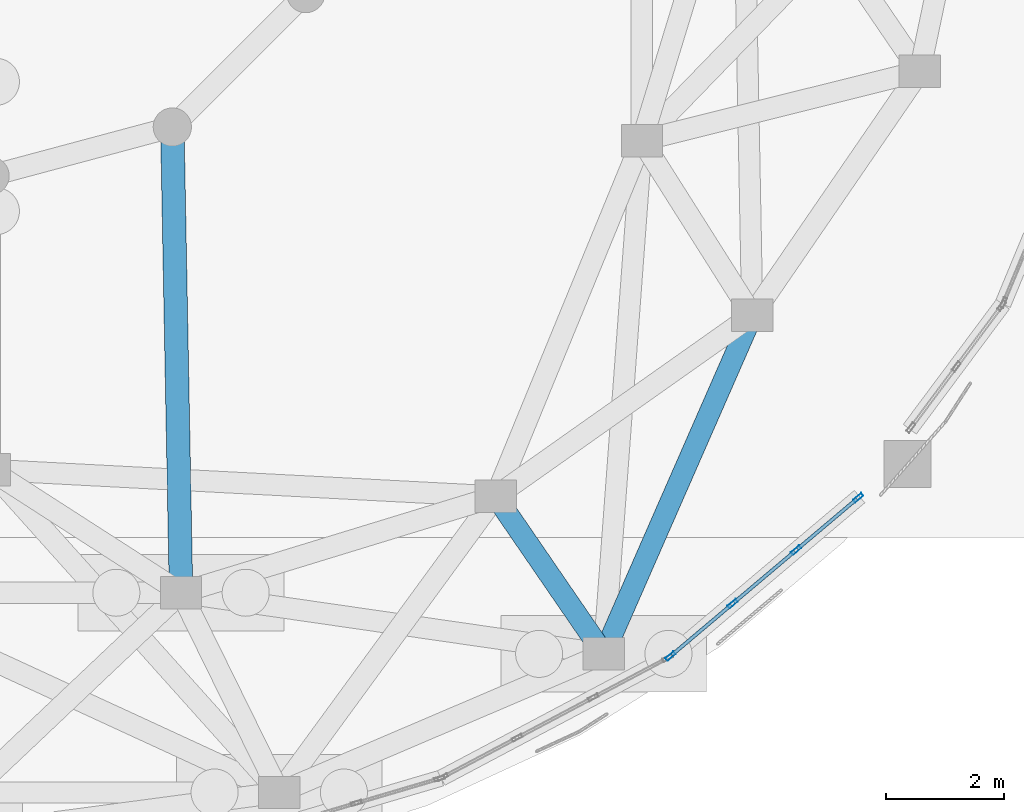
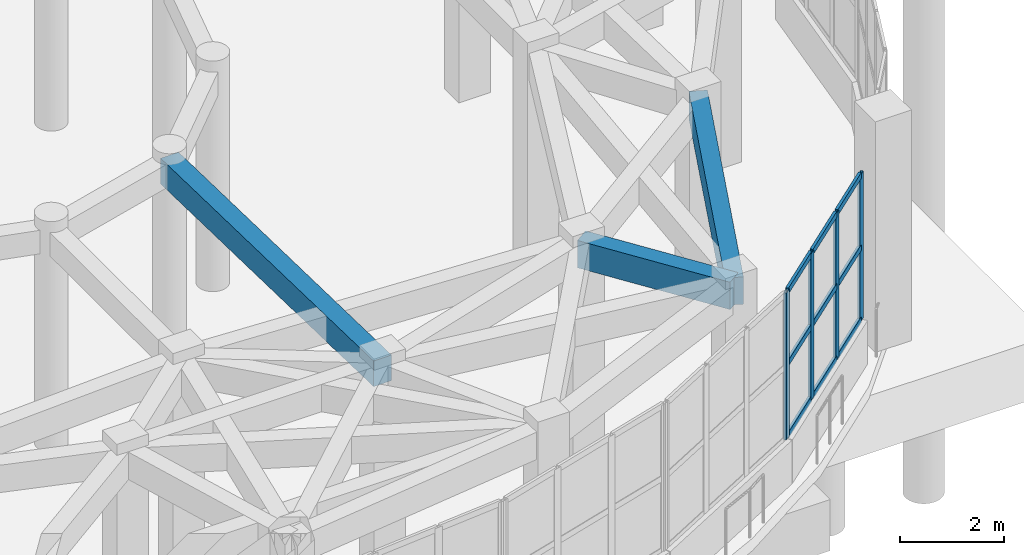
# One storey, part 12 of 96: 13 members, 3 beams, 1 element without a shape of its own.
"""IFC4 building model written with IfcOpenShell, lengths in metres."""

from ifc_helpers import new_model, si_unit, direction, frame, origin, origin_2d, place, context, subcontext, project, spatial, rectangle, hollow_rectangle, extrude, material, layer, layer_set, material_profile, profile_set, type_object, element, aggregate, save


model = new_model("IFC4")

# Units and contexts
model_context = context("Model", 3, precision=1e-05, world=origin(), true_north=direction((0.0, 1.0)))
body_context = subcontext(model_context, "Body", "Model", "MODEL_VIEW")
ifc_project = project(units=[si_unit("LENGTHUNIT", "METRE"), si_unit("AREAUNIT", "SQUARE_METRE"), si_unit("VOLUMEUNIT", "CUBIC_METRE"), si_unit("PLANEANGLEUNIT", "RADIAN"), si_unit("MASSUNIT", "GRAM", prefix="KILO")], contexts=[model_context])

# Site, building, storey
site_placement = place(None, origin())
site = spatial("IfcSite", under=ifc_project, at=site_placement, CompositionType="ELEMENT")
building_placement = place(site_placement, origin())
building = spatial("IfcBuilding", under=site, at=building_placement, Name="Pelvatis Terrace Science Centre", CompositionType="ELEMENT")
storey_placement = place(building_placement, origin())
storey = spatial("IfcBuildingStorey", under=building, at=storey_placement, Name="L00", CompositionType="ELEMENT", Elevation=0.0)

# Beam
ifc_material_1 = material(Name="Concrete C35/45", Category="concrete")
ifc_material_profile_1 = material_profile(ifc_material_1, rectangle(XDim=0.39990234375, YDim=0.60009765625, at=origin_2d()), Name="RC-BM 400x600")
ifc_profile_set_1 = profile_set([ifc_material_profile_1], Name="Concrete C35/45")
beam_type_1 = type_object("IfcBeamType", Name="BM-RC-400x600", PredefinedType="BEAM", material=ifc_profile_set_1)
beam_1_placement = place(storey_placement, frame((49.89990234375, 29.730712890625, 4.840087890625), z_axis=(0.01867508066, -0.999825605474, 0.0), x_axis=(0.999825605474, 0.01867508066, 0.0)))
element("IfcBeam", 1, at=beam_1_placement, inside=storey, type_object=beam_type_1, Name="Beam BM-L00-2235", PredefinedType="BEAM", context=body_context, shape_type="SweptSolid", body=[
    extrude(rectangle(XDim=0.39990234375, YDim=0.60009765625, at=origin_2d()), origin(), (0.0, 0.0, 1.0), 7.92236328125),
])

# Curtain wall, members
ifc_material_2 = material(Name="Bronze-anodised aluminium and laminated glass", Category="aluminium")
ifc_layer = layer(ifc_material_2, 0.179931640625)
ifc_layer_set = layer_set([ifc_layer], Name="Bronze-anodised aluminium and laminated glass")
curtain_wall_type = type_object("IfcCurtainWallType", Name="CW-RIBBON-A", PredefinedType="NOTDEFINED", material=ifc_layer_set)
curtain_wall_placement = place(storey_placement, origin())
curtain_wall = element("IfcCurtainWall", 2, at=curtain_wall_placement, inside=storey, type_object=curtain_wall_type, Name="Ribbon curtain wall CW-018 (L00)", PredefinedType="NOTDEFINED")
ifc_material_3 = material(Name="Bronze-anodised aluminium 6063-T6", Category="aluminium")
ifc_material_profile_2 = material_profile(ifc_material_3, hollow_rectangle(XDim=0.06005859375, YDim=0.179931640625, WallThickness=0.00390625, at=origin_2d()), Name="ALU-MUL 60x180")
ifc_profile_set_2 = profile_set([ifc_material_profile_2], Name="Bronze-anodised aluminium 6063-T6")
member_type_1 = type_object("IfcMemberType", Name="CWM-60x180", PredefinedType="MULLION", material=ifc_profile_set_2)
member_1_placement = place(storey_placement, frame((58.373291015625, 20.732666015625, 1.02001953125), z_axis=(0.0, 0.0, 1.0), x_axis=(-0.64476794595, 0.764378372192, 0.0)))
member_1 = element("IfcMember", 3, at=member_1_placement, type_object=member_type_1, Name="CW-018 mullion 1", PredefinedType="MULLION", context=body_context, shape_type="SweptSolid", body=[
    extrude(hollow_rectangle(XDim=0.06005859375, YDim=0.179931640625, WallThickness=0.00390625, at=origin_2d()), origin(), (0.0, 0.0, 1.0), 3.43994140625),
])
member_2_placement = place(storey_placement, frame((59.4296875, 21.623779296875, 1.02001953125), z_axis=(0.0, 0.0, 1.0), x_axis=(-0.64476794595, 0.764378372192, 0.0)))
member_2 = element("IfcMember", 4, at=member_2_placement, type_object=member_type_1, Name="CW-018 mullion 2", PredefinedType="MULLION", context=body_context, shape_type="SweptSolid", body=[
    extrude(hollow_rectangle(XDim=0.06005859375, YDim=0.179931640625, WallThickness=0.00390625, at=origin_2d()), origin(), (0.0, 0.0, 1.0), 3.43994140625),
])
member_3_placement = place(storey_placement, frame((60.509033203125, 22.534423828125, 1.02001953125), z_axis=(0.0, 0.0, 1.0), x_axis=(-0.64476794595, 0.764378372192, 0.0)))
member_3 = element("IfcMember", 5, at=member_3_placement, type_object=member_type_1, Name="CW-018 mullion 3", PredefinedType="MULLION", context=body_context, shape_type="SweptSolid", body=[
    extrude(hollow_rectangle(XDim=0.06005859375, YDim=0.179931640625, WallThickness=0.00390625, at=origin_2d()), origin(), (0.0, 0.0, 1.0), 3.43994140625),
])
member_4_placement = place(storey_placement, frame((61.565673828125, 23.425537109375, 1.02001953125), z_axis=(0.0, 0.0, 1.0), x_axis=(-0.64476794595, 0.764378372192, 0.0)))
member_4 = element("IfcMember", 6, at=member_4_placement, type_object=member_type_1, Name="CW-018 mullion 4", PredefinedType="MULLION", context=body_context, shape_type="SweptSolid", body=[
    extrude(hollow_rectangle(XDim=0.06005859375, YDim=0.179931640625, WallThickness=0.00390625, at=origin_2d()), origin(), (0.0, 0.0, 1.0), 3.43994140625),
])
ifc_material_4 = material(Name="Bronze-anodised aluminium 6063-T6", Category="aluminium")
ifc_material_profile_3 = material_profile(ifc_material_4, hollow_rectangle(XDim=0.06005859375, YDim=0.139892578125, WallThickness=0.00390625, at=origin_2d()), Name="ALU-TRN 60x140")
ifc_profile_set_3 = profile_set([ifc_material_profile_3], Name="Bronze-anodised aluminium 6063-T6")
member_type_2 = type_object("IfcMemberType", Name="CWT-60x140", PredefinedType="USERDEFINED", material=ifc_profile_set_3)
member_5_placement = place(storey_placement, frame((58.396240234375, 20.752197265625, 1.050048828125), z_axis=(0.764408097056, 0.6447327052, 0.0), x_axis=(-0.6447327052, 0.764408097056, 0.0)))
member_5 = element("IfcMember", 7, at=member_5_placement, type_object=member_type_2, Name="CW-018 transom 1.1", ObjectType="TRANSOM", PredefinedType="USERDEFINED", context=body_context, shape_type="SweptSolid", body=[
    extrude(hollow_rectangle(XDim=0.06005859375, YDim=0.139892578125, WallThickness=0.00390625, at=origin_2d()), origin(), (0.0, 0.0, 1.0), 1.322021484375),
])
member_6_placement = place(storey_placement, frame((58.396240234375, 20.752197265625, 2.739990234375), z_axis=(0.764408097056, 0.6447327052, 0.0), x_axis=(-0.6447327052, 0.764408097056, 0.0)))
member_6 = element("IfcMember", 8, at=member_6_placement, type_object=member_type_2, Name="CW-018 transom 1.2", ObjectType="TRANSOM", PredefinedType="USERDEFINED", context=body_context, shape_type="SweptSolid", body=[
    extrude(hollow_rectangle(XDim=0.06005859375, YDim=0.139892578125, WallThickness=0.00390625, at=origin_2d()), origin(), (0.0, 0.0, 1.0), 1.322021484375),
])
member_7_placement = place(storey_placement, frame((58.396240234375, 20.752197265625, 4.429931640625), z_axis=(0.764408097056, 0.6447327052, 0.0), x_axis=(-0.6447327052, 0.764408097056, 0.0)))
member_7 = element("IfcMember", 9, at=member_7_placement, type_object=member_type_2, Name="CW-018 transom 1.3", ObjectType="TRANSOM", PredefinedType="USERDEFINED", context=body_context, shape_type="SweptSolid", body=[
    extrude(hollow_rectangle(XDim=0.06005859375, YDim=0.139892578125, WallThickness=0.00390625, at=origin_2d()), origin(), (0.0, 0.0, 1.0), 1.322021484375),
])
member_8_placement = place(storey_placement, frame((59.45263671875, 21.643310546875, 1.050048828125), z_axis=(0.764433319597, 0.64470279966, 0.0), x_axis=(-0.64470279966, 0.764433319597, 0.0)))
member_8 = element("IfcMember", 10, at=member_8_placement, type_object=member_type_2, Name="CW-018 transom 2.1", ObjectType="TRANSOM", PredefinedType="USERDEFINED", context=body_context, shape_type="SweptSolid", body=[
    extrude(hollow_rectangle(XDim=0.06005859375, YDim=0.139892578125, WallThickness=0.00390625, at=origin_2d()), origin(), (0.0, 0.0, 1.0), 1.351806640625),
])
member_9_placement = place(storey_placement, frame((59.45263671875, 21.643310546875, 2.739990234375), z_axis=(0.764433319597, 0.64470279966, 0.0), x_axis=(-0.64470279966, 0.764433319597, 0.0)))
member_9 = element("IfcMember", 11, at=member_9_placement, type_object=member_type_2, Name="CW-018 transom 2.2", ObjectType="TRANSOM", PredefinedType="USERDEFINED", context=body_context, shape_type="SweptSolid", body=[
    extrude(hollow_rectangle(XDim=0.06005859375, YDim=0.139892578125, WallThickness=0.00390625, at=origin_2d()), origin(), (0.0, 0.0, 1.0), 1.351806640625),
])
member_10_placement = place(storey_placement, frame((59.45263671875, 21.643310546875, 4.429931640625), z_axis=(0.764433319597, 0.64470279966, 0.0), x_axis=(-0.64470279966, 0.764433319597, 0.0)))
member_10 = element("IfcMember", 12, at=member_10_placement, type_object=member_type_2, Name="CW-018 transom 2.3", ObjectType="TRANSOM", PredefinedType="USERDEFINED", context=body_context, shape_type="SweptSolid", body=[
    extrude(hollow_rectangle(XDim=0.06005859375, YDim=0.139892578125, WallThickness=0.00390625, at=origin_2d()), origin(), (0.0, 0.0, 1.0), 1.351806640625),
])
member_11_placement = place(storey_placement, frame((60.531982421875, 22.5537109375, 1.050048828125), z_axis=(0.764484850398, 0.644641693898, 0.0), x_axis=(-0.644641693898, 0.764484850398, 0.0)))
member_11 = element("IfcMember", 13, at=member_11_placement, type_object=member_type_2, Name="CW-018 transom 3.1", ObjectType="TRANSOM", PredefinedType="USERDEFINED", context=body_context, shape_type="SweptSolid", body=[
    extrude(hollow_rectangle(XDim=0.06005859375, YDim=0.139892578125, WallThickness=0.00390625, at=origin_2d()), origin(), (0.0, 0.0, 1.0), 1.322021484375),
])
member_12_placement = place(storey_placement, frame((60.531982421875, 22.5537109375, 2.739990234375), z_axis=(0.764484850398, 0.644641693898, 0.0), x_axis=(-0.644641693898, 0.764484850398, 0.0)))
member_12 = element("IfcMember", 14, at=member_12_placement, type_object=member_type_2, Name="CW-018 transom 3.2", ObjectType="TRANSOM", PredefinedType="USERDEFINED", context=body_context, shape_type="SweptSolid", body=[
    extrude(hollow_rectangle(XDim=0.06005859375, YDim=0.139892578125, WallThickness=0.00390625, at=origin_2d()), origin(), (0.0, 0.0, 1.0), 1.322021484375),
])
member_13_placement = place(storey_placement, frame((60.531982421875, 22.5537109375, 4.429931640625), z_axis=(0.764484850398, 0.644641693898, 0.0), x_axis=(-0.644641693898, 0.764484850398, 0.0)))
member_13 = element("IfcMember", 15, at=member_13_placement, type_object=member_type_2, Name="CW-018 transom 3.3", ObjectType="TRANSOM", PredefinedType="USERDEFINED", context=body_context, shape_type="SweptSolid", body=[
    extrude(hollow_rectangle(XDim=0.06005859375, YDim=0.139892578125, WallThickness=0.00390625, at=origin_2d()), origin(), (0.0, 0.0, 1.0), 1.322021484375),
])
aggregate(curtain_wall, [member_1, member_2, member_3, member_4, member_5, member_6, member_7, member_8, member_9, member_10, member_11, member_12, member_13])

# Beams
ifc_material_5 = material(Name="Concrete C35/45", Category="concrete")
ifc_material_profile_4 = material_profile(ifc_material_5, rectangle(XDim=0.360107421875, YDim=0.639892578125, at=origin_2d()), Name="RC-SPN 360x640")
ifc_profile_set_4 = profile_set([ifc_material_profile_4], Name="Concrete C35/45")
beam_type_2 = type_object("IfcBeamType", Name="SPN-RC-360x640", PredefinedType="SPANDREL", material=ifc_profile_set_4)
beam_2_placement = place(storey_placement, frame((55.39990234375, 23.44873046875, 4.820068359375), z_axis=(0.565836486127, -0.82451747766, 0.0), x_axis=(0.82451747766, 0.565836486127, 0.0)))
element("IfcBeam", 16, at=beam_2_placement, inside=storey, type_object=beam_type_2, Name="Spandrel SP-L00-2360", PredefinedType="SPANDREL", context=body_context, shape_type="SweptSolid", body=[
    extrude(rectangle(XDim=0.360107421875, YDim=0.639892578125, at=origin_2d()), origin(), (0.0, 0.0, 1.0), 3.24853515625),
])
beam_3_placement = place(storey_placement, frame((59.76318359375, 26.529541015625, 4.820068359375), z_axis=(-0.401547818535, -0.915838058518, 0.0), x_axis=(0.915838058518, -0.401547818535, 0.0)))
element("IfcBeam", 17, at=beam_3_placement, inside=storey, type_object=beam_type_2, Name="Spandrel SP-L00-2364", PredefinedType="SPANDREL", context=body_context, shape_type="SweptSolid", body=[
    extrude(rectangle(XDim=0.360107421875, YDim=0.639892578125, at=origin_2d()), origin(), (0.0, 0.0, 1.0), 6.28857421875),
])

save(model, "model.ifc")
